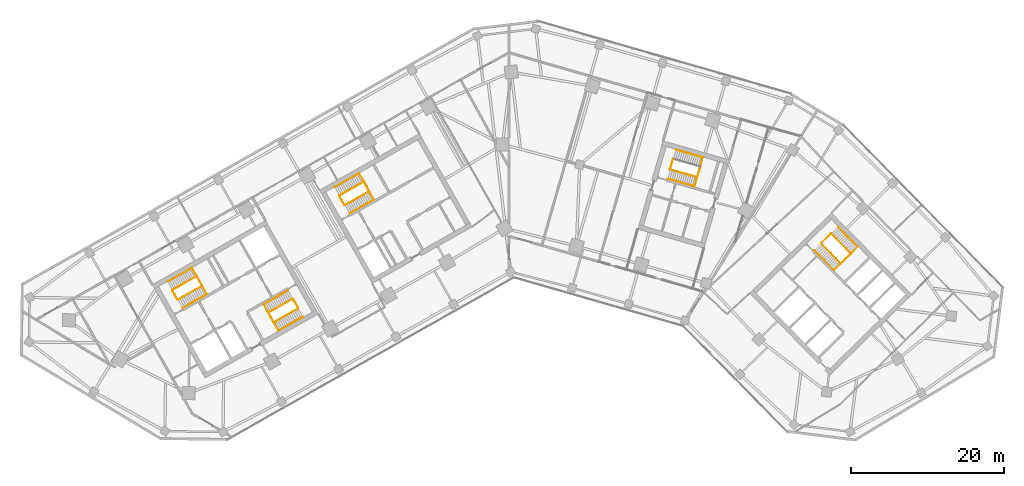
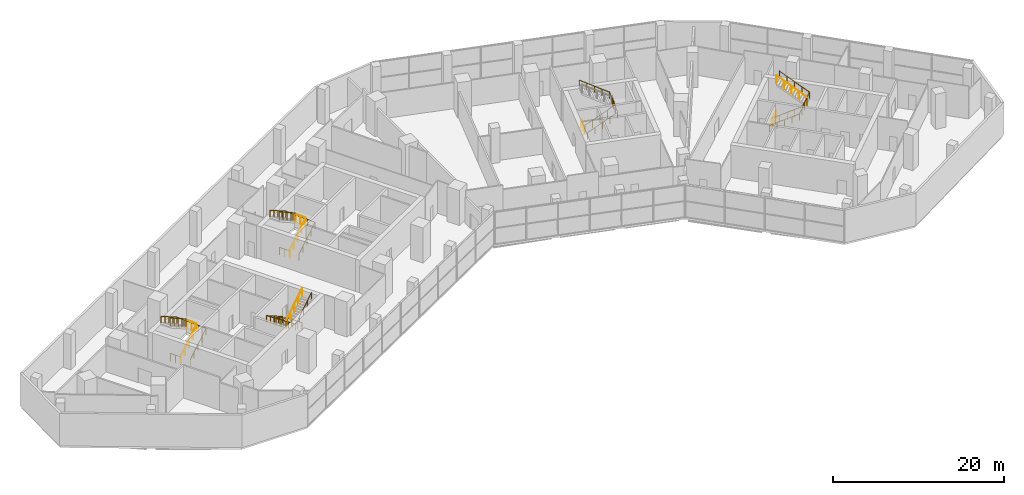
# One storey, part 17 of 18: 19 railings.
"""IFC4 building model written with IfcOpenShell, lengths in metres."""

from ifc_helpers import new_model, si_unit, direction, frame, origin, origin_2d, place, context, subcontext, project, spatial, circle, extrude, material, type_object, element, save


model = new_model("IFC4")

# Units and contexts
model_context = context("Model", 3, precision=1e-05, world=origin(), true_north=direction((0.0, 1.0)))
body_context = subcontext(model_context, "Body", "Model", "MODEL_VIEW")
ifc_project = project(units=[si_unit("LENGTHUNIT", "METRE"), si_unit("AREAUNIT", "SQUARE_METRE"), si_unit("VOLUMEUNIT", "CUBIC_METRE"), si_unit("PLANEANGLEUNIT", "RADIAN"), si_unit("MASSUNIT", "GRAM", prefix="KILO")], contexts=[model_context])

# Site, building, storey
site_placement = place(None, origin())
site = spatial("IfcSite", under=ifc_project, at=site_placement, CompositionType="ELEMENT")
building_placement = place(site_placement, origin())
building = spatial("IfcBuilding", under=site, at=building_placement, Name="Binnacle Exchange Tower", CompositionType="ELEMENT")
storey_placement = place(building_placement, frame((0.0, 0.0, 6.5)))
storey = spatial("IfcBuildingStorey", under=building, at=storey_placement, Name="L01", CompositionType="ELEMENT", Elevation=6.5)

# Railings
ifc_material_1 = material(Name="Steel guard rail", Category="steel")
railing_type_1 = type_object("IfcRailingType", Name="STAIR GUARD 1100", PredefinedType="GUARDRAIL", material=ifc_material_1)
railing_1_placement = place(storey_placement, frame((-43.26171875, 39.71728515625, 0.178466796875)))
element("IfcRailing", 1, at=railing_1_placement, inside=storey, type_object=railing_type_1, Name="L01 STA1 stair guard 1", PredefinedType="GUARDRAIL", context=body_context, shape_type="SweptSolid", body=[
    extrude(circle(Radius=0.02392578125, at=origin_2d()), frame((0.0, 0.0, 1.076171875), z_axis=(0.733795554141, 0.415191658331, 0.537735968274), x_axis=(-0.492450612189, 0.870340390052, 0.0)), (0.0, 0.0, 1.0), 4.317138671875),
    extrude(circle(Radius=0.02392578125, at=origin_2d()), frame((3.16796875, 1.79248046875, 3.3974609375), z_axis=(-0.460963092712, 0.887419307406, 0.0), x_axis=(-0.887419307406, -0.460963092712, 0.0)), (0.0, 0.0, 1.0), 1.40087890625),
    extrude(circle(Radius=0.02099609375, at=origin_2d()), origin(), (0.0, 0.0, 1.0), 1.052001953125),
    extrude(circle(Radius=0.02099609375, at=origin_2d()), frame((0.7919921875, 0.4482421875, 0.580322265625)), (0.0, 0.0, 1.0), 1.052001953125),
    extrude(circle(Radius=0.02099609375, at=origin_2d()), frame((1.583984375, 0.896240234375, 1.16064453125)), (0.0, 0.0, 1.0), 1.052001953125),
    extrude(circle(Radius=0.02099609375, at=origin_2d()), frame((2.3759765625, 1.34423828125, 1.7412109375)), (0.0, 0.0, 1.0), 1.052001953125),
    extrude(circle(Radius=0.02099609375, at=origin_2d()), frame((3.16796875, 1.79248046875, 2.321533203125)), (0.0, 0.0, 1.0), 1.052001953125),
    extrude(circle(Radius=0.02099609375, at=origin_2d()), frame((2.84521484375, 2.4140625, 2.321533203125)), (0.0, 0.0, 1.0), 1.052001953125),
    extrude(circle(Radius=0.02099609375, at=origin_2d()), frame((2.522216796875, 3.03564453125, 2.321533203125)), (0.0, 0.0, 1.0), 1.052001953125),
])
railing_2_placement = place(storey_placement, frame((-40.8076171875, 42.771728515625, 2.678466796875)))
element("IfcRailing", 2, at=railing_2_placement, inside=storey, type_object=railing_type_1, Name="L01 STA1 stair guard 2", PredefinedType="GUARDRAIL", context=body_context, shape_type="SweptSolid", body=[
    extrude(circle(Radius=0.02392578125, at=origin_2d()), frame((0.0, 0.0, 1.076171875), z_axis=(-0.733821652932, -0.415174429824, 0.537713654753), x_axis=(0.492421866095, -0.870356654361, 0.0)), (0.0, 0.0, 1.0), 4.3173828125),
    extrude(circle(Radius=0.02099609375, at=origin_2d()), origin(), (0.0, 0.0, 1.0), 1.052001953125),
    extrude(circle(Radius=0.02099609375, at=origin_2d()), frame((-0.7919921875, -0.4482421875, 0.580322265625)), (0.0, 0.0, 1.0), 1.052001953125),
    extrude(circle(Radius=0.02099609375, at=origin_2d()), frame((-1.583984375, -0.896240234375, 1.16064453125)), (0.0, 0.0, 1.0), 1.052001953125),
    extrude(circle(Radius=0.02099609375, at=origin_2d()), frame((-2.376220703125, -1.34423828125, 1.7412109375)), (0.0, 0.0, 1.0), 1.052001953125),
    extrude(circle(Radius=0.02099609375, at=origin_2d()), frame((-3.168212890625, -1.79248046875, 2.321533203125)), (0.0, 0.0, 1.0), 1.052001953125),
])
railing_3_placement = place(storey_placement, frame((-43.329833984375, 39.736328125, 0.0)))
element("IfcRailing", 3, at=railing_3_placement, inside=storey, type_object=railing_type_1, Name="L01 STA1 stair guard 3", PredefinedType="GUARDRAIL", context=body_context, shape_type="SweptSolid", body=[
    extrude(circle(Radius=0.02392578125, at=origin_2d()), frame((0.0, 0.0, 1.076171875), z_axis=(-0.4924922531, 0.870316827734, 0.0), x_axis=(-0.870316827734, -0.4924922531, 0.0)), (0.0, 0.0, 1.0), 1.349853515625),
    extrude(circle(Radius=0.02099609375, at=origin_2d()), origin(), (0.0, 0.0, 1.0), 1.052001953125),
    extrude(circle(Radius=0.02099609375, at=origin_2d()), frame((-0.33251953125, 0.58740234375, 0.0)), (0.0, 0.0, 1.0), 1.052001953125),
    extrude(circle(Radius=0.02099609375, at=origin_2d()), frame((-0.664794921875, 1.1748046875, 0.0)), (0.0, 0.0, 1.0), 1.052001953125),
])
railing_4_placement = place(storey_placement, frame((-28.265380859375, 39.814453125, 0.178466796875)))
element("IfcRailing", 4, at=railing_4_placement, inside=storey, type_object=railing_type_1, Name="L01 STA2 stair guard 1", PredefinedType="GUARDRAIL", context=body_context, shape_type="SweptSolid", body=[
    extrude(circle(Radius=0.02392578125, at=origin_2d()), frame((0.0, 0.0, 1.076171875), z_axis=(-0.733821652932, -0.415174429824, 0.537713654753), x_axis=(0.492421866095, -0.870356654361, 0.0)), (0.0, 0.0, 1.0), 4.3173828125),
    extrude(circle(Radius=0.02392578125, at=origin_2d()), frame((-3.168212890625, -1.79248046875, 3.3974609375), z_axis=(0.461100321709, -0.887348011391, 0.0), x_axis=(0.887348011391, 0.461100321709, 0.0)), (0.0, 0.0, 1.0), 1.40087890625),
    extrude(circle(Radius=0.02099609375, at=origin_2d()), origin(), (0.0, 0.0, 1.0), 1.052001953125),
    extrude(circle(Radius=0.02099609375, at=origin_2d()), frame((-0.7919921875, -0.4482421875, 0.580322265625)), (0.0, 0.0, 1.0), 1.052001953125),
    extrude(circle(Radius=0.02099609375, at=origin_2d()), frame((-1.583984375, -0.896240234375, 1.16064453125)), (0.0, 0.0, 1.0), 1.052001953125),
    extrude(circle(Radius=0.02099609375, at=origin_2d()), frame((-2.376220703125, -1.34423828125, 1.7412109375)), (0.0, 0.0, 1.0), 1.052001953125),
    extrude(circle(Radius=0.02099609375, at=origin_2d()), frame((-3.168212890625, -1.79248046875, 2.321533203125)), (0.0, 0.0, 1.0), 1.052001953125),
    extrude(circle(Radius=0.02099609375, at=origin_2d()), frame((-2.84521484375, -2.4140625, 2.321533203125)), (0.0, 0.0, 1.0), 1.052001953125),
    extrude(circle(Radius=0.02099609375, at=origin_2d()), frame((-2.522216796875, -3.03564453125, 2.321533203125)), (0.0, 0.0, 1.0), 1.052001953125),
])
railing_5_placement = place(storey_placement, frame((-30.719482421875, 36.760009765625, 2.678466796875)))
element("IfcRailing", 5, at=railing_5_placement, inside=storey, type_object=railing_type_1, Name="L01 STA2 stair guard 2", PredefinedType="GUARDRAIL", context=body_context, shape_type="SweptSolid", body=[
    extrude(circle(Radius=0.02392578125, at=origin_2d()), frame((0.0, 0.0, 1.076171875), z_axis=(0.733795554141, 0.415191658331, 0.537735968274), x_axis=(-0.492450612189, 0.870340390052, 0.0)), (0.0, 0.0, 1.0), 4.317138671875),
    extrude(circle(Radius=0.02099609375, at=origin_2d()), origin(), (0.0, 0.0, 1.0), 1.052001953125),
    extrude(circle(Radius=0.02099609375, at=origin_2d()), frame((0.7919921875, 0.4482421875, 0.580322265625)), (0.0, 0.0, 1.0), 1.052001953125),
    extrude(circle(Radius=0.02099609375, at=origin_2d()), frame((1.583984375, 0.896240234375, 1.16064453125)), (0.0, 0.0, 1.0), 1.052001953125),
    extrude(circle(Radius=0.02099609375, at=origin_2d()), frame((2.3759765625, 1.34423828125, 1.7412109375)), (0.0, 0.0, 1.0), 1.052001953125),
    extrude(circle(Radius=0.02099609375, at=origin_2d()), frame((3.16796875, 1.79248046875, 2.321533203125)), (0.0, 0.0, 1.0), 1.052001953125),
])
railing_6_placement = place(storey_placement, frame((-28.197265625, 39.795654296875, 0.0)))
element("IfcRailing", 6, at=railing_6_placement, inside=storey, type_object=railing_type_1, Name="L01 STA2 stair guard 3", PredefinedType="GUARDRAIL", context=body_context, shape_type="SweptSolid", body=[
    extrude(circle(Radius=0.02392578125, at=origin_2d()), frame((0.0, 0.0, 1.076171875), z_axis=(0.49241474071, -0.870360685654, 0.0), x_axis=(0.870360685654, 0.49241474071, 0.0)), (0.0, 0.0, 1.0), 1.35009765625),
    extrude(circle(Radius=0.02099609375, at=origin_2d()), origin(), (0.0, 0.0, 1.0), 1.052001953125),
    extrude(circle(Radius=0.02099609375, at=origin_2d()), frame((0.33251953125, -0.58740234375, 0.0)), (0.0, 0.0, 1.0), 1.052001953125),
    extrude(circle(Radius=0.02099609375, at=origin_2d()), frame((0.664794921875, -1.175048828125, 0.0)), (0.0, 0.0, 1.0), 1.052001953125),
])
railing_7_placement = place(storey_placement, frame((40.822509765625, 47.046875, 0.178466796875)))
element("IfcRailing", 7, at=railing_7_placement, inside=storey, type_object=railing_type_1, Name="L01 STB1 stair guard 1", PredefinedType="GUARDRAIL", context=body_context, shape_type="SweptSolid", body=[
    extrude(circle(Radius=0.02392578125, at=origin_2d()), frame((0.0, 0.0, 1.076171875), z_axis=(0.590946962671, -0.60135215321, 0.537733461056), x_axis=(0.713250539553, 0.700909172309, 0.0)), (0.0, 0.0, 1.0), 4.317138671875),
    extrude(circle(Radius=0.02392578125, at=origin_2d()), frame((2.55126953125, -2.59619140625, 3.3974609375), z_axis=(0.732527851538, 0.680737061369, 0.0), x_axis=(-0.680737061369, 0.732527851538, 0.0)), (0.0, 0.0, 1.0), 1.80078125),
    extrude(circle(Radius=0.02099609375, at=origin_2d()), origin(), (0.0, 0.0, 1.0), 1.052001953125),
    extrude(circle(Radius=0.02099609375, at=origin_2d()), frame((0.6376953125, -0.64892578125, 0.580322265625)), (0.0, 0.0, 1.0), 1.052001953125),
    extrude(circle(Radius=0.02099609375, at=origin_2d()), frame((1.275634765625, -1.298095703125, 1.16064453125)), (0.0, 0.0, 1.0), 1.052001953125),
    extrude(circle(Radius=0.02099609375, at=origin_2d()), frame((1.91357421875, -1.947265625, 1.7412109375)), (0.0, 0.0, 1.0), 1.052001953125),
    extrude(circle(Radius=0.02099609375, at=origin_2d()), frame((2.55126953125, -2.59619140625, 2.321533203125)), (0.0, 0.0, 1.0), 1.052001953125),
    extrude(circle(Radius=0.02099609375, at=origin_2d()), frame((3.2109375, -1.9833984375, 2.321533203125)), (0.0, 0.0, 1.0), 1.052001953125),
    extrude(circle(Radius=0.02099609375, at=origin_2d()), frame((3.870361328125, -1.370361328125, 2.321533203125)), (0.0, 0.0, 1.0), 1.052001953125),
])
railing_8_placement = place(storey_placement, frame((44.693359375, 45.747314453125, 2.678466796875)))
element("IfcRailing", 8, at=railing_8_placement, inside=storey, type_object=railing_type_1, Name="L01 STB1 stair guard 2", PredefinedType="GUARDRAIL", context=body_context, shape_type="SweptSolid", body=[
    extrude(circle(Radius=0.02392578125, at=origin_2d()), frame((0.0, 0.0, 1.076171875), z_axis=(-0.590946962671, 0.60135215321, 0.537733461056), x_axis=(-0.713250539553, -0.700909172309, 0.0)), (0.0, 0.0, 1.0), 4.317138671875),
    extrude(circle(Radius=0.02099609375, at=origin_2d()), origin(), (0.0, 0.0, 1.0), 1.052001953125),
    extrude(circle(Radius=0.02099609375, at=origin_2d()), frame((-0.6376953125, 0.64892578125, 0.580322265625)), (0.0, 0.0, 1.0), 1.052001953125),
    extrude(circle(Radius=0.02099609375, at=origin_2d()), frame((-1.275634765625, 1.298095703125, 1.16064453125)), (0.0, 0.0, 1.0), 1.052001953125),
    extrude(circle(Radius=0.02099609375, at=origin_2d()), frame((-1.91357421875, 1.947265625, 1.7412109375)), (0.0, 0.0, 1.0), 1.052001953125),
    extrude(circle(Radius=0.02099609375, at=origin_2d()), frame((-2.55126953125, 2.59619140625, 2.321533203125)), (0.0, 0.0, 1.0), 1.052001953125),
])
railing_9_placement = place(storey_placement, frame((40.8232421875, 47.117431640625, 0.0)))
element("IfcRailing", 9, at=railing_9_placement, inside=storey, type_object=railing_type_1, Name="L01 STB1 stair guard 3", PredefinedType="GUARDRAIL", context=body_context, shape_type="SweptSolid", body=[
    extrude(circle(Radius=0.02392578125, at=origin_2d()), frame((0.0, 0.0, 1.076171875), z_axis=(0.713218950569, 0.700941316052, 0.0), x_axis=(-0.700941316052, 0.713218950569, 0.0)), (0.0, 0.0, 1.0), 1.75),
    extrude(circle(Radius=0.02099609375, at=origin_2d()), origin(), (0.0, 0.0, 1.0), 1.052001953125),
    extrude(circle(Radius=0.02099609375, at=origin_2d()), frame((0.6240234375, 0.61328125, 0.0)), (0.0, 0.0, 1.0), 1.052001953125),
    extrude(circle(Radius=0.02099609375, at=origin_2d()), frame((1.248046875, 1.2265625, 0.0)), (0.0, 0.0, 1.0), 1.052001953125),
])
railing_10_placement = place(storey_placement, frame((-21.423828125, 52.07275390625, 0.178466796875)))
element("IfcRailing", 10, at=railing_10_placement, inside=storey, type_object=railing_type_1, Name="L01 STC1 stair guard 1", PredefinedType="GUARDRAIL", context=body_context, shape_type="SweptSolid", body=[
    extrude(circle(Radius=0.02392578125, at=origin_2d()), frame((0.0, 0.0, 1.076171875), z_axis=(0.733838880464, 0.415127627455, 0.537726278364), x_axis=(-0.492371057291, 0.870385398511, 0.0)), (0.0, 0.0, 1.0), 4.3173828125),
    extrude(circle(Radius=0.02392578125, at=origin_2d()), frame((3.168212890625, 1.792236328125, 3.3974609375), z_axis=(-0.461100321709, 0.887348011391, 0.0), x_axis=(-0.887348011391, -0.461100321709, 0.0)), (0.0, 0.0, 1.0), 1.40087890625),
    extrude(circle(Radius=0.02099609375, at=origin_2d()), origin(), (0.0, 0.0, 1.0), 1.052001953125),
    extrude(circle(Radius=0.02099609375, at=origin_2d()), frame((0.7919921875, 0.447998046875, 0.580322265625)), (0.0, 0.0, 1.0), 1.052001953125),
    extrude(circle(Radius=0.02099609375, at=origin_2d()), frame((1.583984375, 0.89599609375, 1.16064453125)), (0.0, 0.0, 1.0), 1.052001953125),
    extrude(circle(Radius=0.02099609375, at=origin_2d()), frame((2.376220703125, 1.34423828125, 1.7412109375)), (0.0, 0.0, 1.0), 1.052001953125),
    extrude(circle(Radius=0.02099609375, at=origin_2d()), frame((3.168212890625, 1.792236328125, 2.321533203125)), (0.0, 0.0, 1.0), 1.052001953125),
    extrude(circle(Radius=0.02099609375, at=origin_2d()), frame((2.84521484375, 2.413818359375, 2.321533203125)), (0.0, 0.0, 1.0), 1.052001953125),
    extrude(circle(Radius=0.02099609375, at=origin_2d()), frame((2.522216796875, 3.035400390625, 2.321533203125)), (0.0, 0.0, 1.0), 1.052001953125),
])
railing_11_placement = place(storey_placement, frame((-18.9697265625, 55.126953125, 2.678466796875)))
element("IfcRailing", 11, at=railing_11_placement, inside=storey, type_object=railing_type_1, Name="L01 STC1 stair guard 2", PredefinedType="GUARDRAIL", context=body_context, shape_type="SweptSolid", body=[
    extrude(circle(Radius=0.02392578125, at=origin_2d()), frame((0.0, 0.0, 1.076171875), z_axis=(-0.733812782489, -0.415144854829, 0.537748593457), x_axis=(0.492399802317, -0.870369137021, 0.0)), (0.0, 0.0, 1.0), 4.317138671875),
    extrude(circle(Radius=0.02099609375, at=origin_2d()), origin(), (0.0, 0.0, 1.0), 1.052001953125),
    extrude(circle(Radius=0.02099609375, at=origin_2d()), frame((-0.7919921875, -0.447998046875, 0.580322265625)), (0.0, 0.0, 1.0), 1.052001953125),
    extrude(circle(Radius=0.02099609375, at=origin_2d()), frame((-1.583984375, -0.89599609375, 1.16064453125)), (0.0, 0.0, 1.0), 1.052001953125),
    extrude(circle(Radius=0.02099609375, at=origin_2d()), frame((-2.3759765625, -1.34423828125, 1.7412109375)), (0.0, 0.0, 1.0), 1.052001953125),
    extrude(circle(Radius=0.02099609375, at=origin_2d()), frame((-3.16796875, -1.792236328125, 2.321533203125)), (0.0, 0.0, 1.0), 1.052001953125),
])
railing_12_placement = place(storey_placement, frame((-21.491943359375, 52.091552734375, 0.0)))
element("IfcRailing", 12, at=railing_12_placement, inside=storey, type_object=railing_type_1, Name="L01 STC1 stair guard 3", PredefinedType="GUARDRAIL", context=body_context, shape_type="SweptSolid", body=[
    extrude(circle(Radius=0.02392578125, at=origin_2d()), frame((0.0, 0.0, 1.076171875), z_axis=(-0.49241474071, 0.870360685654, 0.0), x_axis=(-0.870360685654, -0.49241474071, 0.0)), (0.0, 0.0, 1.0), 1.35009765625),
    extrude(circle(Radius=0.02099609375, at=origin_2d()), origin(), (0.0, 0.0, 1.0), 1.052001953125),
    extrude(circle(Radius=0.02099609375, at=origin_2d()), frame((-0.33251953125, 0.58740234375, 0.0)), (0.0, 0.0, 1.0), 1.052001953125),
    extrude(circle(Radius=0.02099609375, at=origin_2d()), frame((-0.664794921875, 1.175048828125, 0.0)), (0.0, 0.0, 1.0), 1.052001953125),
])
railing_13_placement = place(storey_placement, frame((21.086669921875, 56.71044921875, 0.178466796875)))
element("IfcRailing", 13, at=railing_13_placement, inside=storey, type_object=railing_type_1, Name="L01 STD1 stair guard 1", PredefinedType="GUARDRAIL", context=body_context, shape_type="SweptSolid", body=[
    extrude(circle(Radius=0.02392578125, at=origin_2d()), frame((0.0, 0.0, 1.076171875), z_axis=(0.810455892038, -0.232415135102, 0.537721537635), x_axis=(0.275659984683, 0.961255206927, 0.0)), (0.0, 0.0, 1.0), 4.3173828125),
    extrude(circle(Radius=0.02392578125, at=origin_2d()), frame((3.4990234375, -1.00341796875, 3.3974609375), z_axis=(0.309684985722, 0.950839213337, 0.0), x_axis=(-0.950839213337, 0.309684985722, 0.0)), (0.0, 0.0, 1.0), 1.40087890625),
    extrude(circle(Radius=0.02099609375, at=origin_2d()), origin(), (0.0, 0.0, 1.0), 1.052001953125),
    extrude(circle(Radius=0.02099609375, at=origin_2d()), frame((0.874755859375, -0.2509765625, 0.580322265625)), (0.0, 0.0, 1.0), 1.052001953125),
    extrude(circle(Radius=0.02099609375, at=origin_2d()), frame((1.74951171875, -0.501708984375, 1.16064453125)), (0.0, 0.0, 1.0), 1.052001953125),
    extrude(circle(Radius=0.02099609375, at=origin_2d()), frame((2.624267578125, -0.75244140625, 1.7412109375)), (0.0, 0.0, 1.0), 1.052001953125),
    extrude(circle(Radius=0.02099609375, at=origin_2d()), frame((3.4990234375, -1.00341796875, 2.321533203125)), (0.0, 0.0, 1.0), 1.052001953125),
    extrude(circle(Radius=0.02099609375, at=origin_2d()), frame((3.7158203125, -0.33740234375, 2.321533203125)), (0.0, 0.0, 1.0), 1.052001953125),
    extrude(circle(Radius=0.02099609375, at=origin_2d()), frame((3.932861328125, 0.32861328125, 2.321533203125)), (0.0, 0.0, 1.0), 1.052001953125),
])
railing_14_placement = place(storey_placement, frame((21.05224609375, 56.772216796875, 0.0)))
element("IfcRailing", 14, at=railing_14_placement, inside=storey, type_object=railing_type_1, Name="L01 STD1 stair guard 3", PredefinedType="GUARDRAIL", context=body_context, shape_type="SweptSolid", body=[
    extrude(circle(Radius=0.02392578125, at=origin_2d()), frame((0.0, 0.0, 1.076171875), z_axis=(0.275795817769, 0.961216243569, 0.0), x_axis=(-0.961216243569, 0.275795817769, 0.0)), (0.0, 0.0, 1.0), 1.349853515625),
    extrude(circle(Radius=0.02099609375, at=origin_2d()), origin(), (0.0, 0.0, 1.0), 1.052001953125),
    extrude(circle(Radius=0.02099609375, at=origin_2d()), frame((0.18603515625, 0.64892578125, 0.0)), (0.0, 0.0, 1.0), 1.052001953125),
    extrude(circle(Radius=0.02099609375, at=origin_2d()), frame((0.372314453125, 1.297607421875, 0.0)), (0.0, 0.0, 1.0), 1.052001953125),
])
ifc_material_2 = material(Name="Steel handrail", Category="steel")
railing_type_2 = type_object("IfcRailingType", Name="STAIR HANDRAIL 900", PredefinedType="HANDRAIL", material=ifc_material_2)
railing_15_placement = place(storey_placement, frame((-42.646240234375, 38.62939453125, 0.178466796875)))
element("IfcRailing", 15, at=railing_15_placement, inside=storey, type_object=railing_type_2, Name="L01 STA1 stair handrail 1", PredefinedType="HANDRAIL", context=body_context, shape_type="SweptSolid", body=[
    extrude(circle(Radius=0.02392578125, at=origin_2d()), frame((0.0, 0.0, 0.8759765625), z_axis=(0.733821652932, 0.415174429824, 0.537713654753), x_axis=(-0.492421866095, 0.870356654361, 0.0)), (0.0, 0.0, 1.0), 4.3173828125),
    extrude(circle(Radius=0.02392578125, at=origin_2d()), frame((3.168212890625, 1.79248046875, 3.197265625), z_axis=(-0.491985021148, 0.869432866815, 0.045135674003), x_axis=(-0.870319839224, -0.492486931251, 0.0)), (0.0, 0.0, 1.0), 3.9541015625),
    extrude(circle(Radius=0.02392578125, at=origin_2d()), frame((1.222900390625, 5.230224609375, 3.3759765625), z_axis=(-0.733812782489, -0.415144854829, 0.537748593457), x_axis=(0.492399802317, -0.870369137021, 0.0)), (0.0, 0.0, 1.0), 4.317138671875),
    extrude(circle(Radius=0.02099609375, at=origin_2d()), origin(), (0.0, 0.0, 1.0), 0.851806640625),
    extrude(circle(Radius=0.02099609375, at=origin_2d()), frame((0.7919921875, 0.4482421875, 0.580322265625)), (0.0, 0.0, 1.0), 0.851806640625),
    extrude(circle(Radius=0.02099609375, at=origin_2d()), frame((1.583984375, 0.896240234375, 1.16064453125)), (0.0, 0.0, 1.0), 0.851806640625),
    extrude(circle(Radius=0.02099609375, at=origin_2d()), frame((2.376220703125, 1.34423828125, 1.7412109375)), (0.0, 0.0, 1.0), 0.851806640625),
    extrude(circle(Radius=0.02099609375, at=origin_2d()), frame((3.168212890625, 1.79248046875, 2.321533203125)), (0.0, 0.0, 1.0), 0.851806640625),
    extrude(circle(Radius=0.02099609375, at=origin_2d()), frame((2.681884765625, 2.65185546875, 2.3662109375)), (0.0, 0.0, 1.0), 0.851806640625),
    extrude(circle(Radius=0.02099609375, at=origin_2d()), frame((2.195556640625, 3.51123046875, 2.41064453125)), (0.0, 0.0, 1.0), 0.851806640625),
    extrude(circle(Radius=0.02099609375, at=origin_2d()), frame((1.709228515625, 4.370849609375, 2.455322265625)), (0.0, 0.0, 1.0), 0.851806640625),
    extrude(circle(Radius=0.02099609375, at=origin_2d()), frame((1.222900390625, 5.230224609375, 2.5)), (0.0, 0.0, 1.0), 0.851806640625),
    extrude(circle(Radius=0.02099609375, at=origin_2d()), frame((0.430908203125, 4.7822265625, 3.080322265625)), (0.0, 0.0, 1.0), 0.851806640625),
    extrude(circle(Radius=0.02099609375, at=origin_2d()), frame((-0.361083984375, 4.333984375, 3.66064453125)), (0.0, 0.0, 1.0), 0.851806640625),
    extrude(circle(Radius=0.02099609375, at=origin_2d()), frame((-1.153076171875, 3.885986328125, 4.2412109375)), (0.0, 0.0, 1.0), 0.851806640625),
    extrude(circle(Radius=0.02099609375, at=origin_2d()), frame((-1.945068359375, 3.43798828125, 4.821533203125)), (0.0, 0.0, 1.0), 0.851806640625),
])
railing_16_placement = place(storey_placement, frame((-28.880859375, 40.90234375, 0.178466796875)))
element("IfcRailing", 16, at=railing_16_placement, inside=storey, type_object=railing_type_2, Name="L01 STA2 stair handrail 1", PredefinedType="HANDRAIL", context=body_context, shape_type="SweptSolid", body=[
    extrude(circle(Radius=0.02392578125, at=origin_2d()), frame((0.0, 0.0, 0.8759765625), z_axis=(-0.733838880464, -0.415127627455, 0.537726278364), x_axis=(0.492371057291, -0.870385398511, 0.0)), (0.0, 0.0, 1.0), 4.3173828125),
    extrude(circle(Radius=0.02392578125, at=origin_2d()), frame((-3.168212890625, -1.792236328125, 3.197265625), z_axis=(0.491911810019, -0.86947434526, 0.045134621956), x_axis=(0.870361318571, 0.492413622004, 0.0)), (0.0, 0.0, 1.0), 3.9541015625),
    extrude(circle(Radius=0.02392578125, at=origin_2d()), frame((-1.22314453125, -5.230224609375, 3.3759765625), z_axis=(0.733821652932, 0.415174429824, 0.537713654753), x_axis=(-0.492421866095, 0.870356654361, 0.0)), (0.0, 0.0, 1.0), 4.3173828125),
    extrude(circle(Radius=0.02099609375, at=origin_2d()), origin(), (0.0, 0.0, 1.0), 0.851806640625),
    extrude(circle(Radius=0.02099609375, at=origin_2d()), frame((-0.7919921875, -0.447998046875, 0.580322265625)), (0.0, 0.0, 1.0), 0.851806640625),
    extrude(circle(Radius=0.02099609375, at=origin_2d()), frame((-1.583984375, -0.89599609375, 1.16064453125)), (0.0, 0.0, 1.0), 0.851806640625),
    extrude(circle(Radius=0.02099609375, at=origin_2d()), frame((-2.376220703125, -1.34423828125, 1.7412109375)), (0.0, 0.0, 1.0), 0.851806640625),
    extrude(circle(Radius=0.02099609375, at=origin_2d()), frame((-3.168212890625, -1.792236328125, 2.321533203125)), (0.0, 0.0, 1.0), 0.851806640625),
    extrude(circle(Radius=0.02099609375, at=origin_2d()), frame((-2.681884765625, -2.65185546875, 2.3662109375)), (0.0, 0.0, 1.0), 0.851806640625),
    extrude(circle(Radius=0.02099609375, at=origin_2d()), frame((-2.19580078125, -3.51123046875, 2.41064453125)), (0.0, 0.0, 1.0), 0.851806640625),
    extrude(circle(Radius=0.02099609375, at=origin_2d()), frame((-1.70947265625, -4.37060546875, 2.455322265625)), (0.0, 0.0, 1.0), 0.851806640625),
    extrude(circle(Radius=0.02099609375, at=origin_2d()), frame((-1.22314453125, -5.230224609375, 2.5)), (0.0, 0.0, 1.0), 0.851806640625),
    extrude(circle(Radius=0.02099609375, at=origin_2d()), frame((-0.43115234375, -4.7822265625, 3.080322265625)), (0.0, 0.0, 1.0), 0.851806640625),
    extrude(circle(Radius=0.02099609375, at=origin_2d()), frame((0.36083984375, -4.333984375, 3.66064453125)), (0.0, 0.0, 1.0), 0.851806640625),
    extrude(circle(Radius=0.02099609375, at=origin_2d()), frame((1.153076171875, -3.8857421875, 4.2412109375)), (0.0, 0.0, 1.0), 0.851806640625),
    extrude(circle(Radius=0.02099609375, at=origin_2d()), frame((1.945068359375, -3.437744140625, 4.821533203125)), (0.0, 0.0, 1.0), 0.851806640625),
])
railing_17_placement = place(storey_placement, frame((39.930908203125, 46.170654296875, 0.178466796875)))
element("IfcRailing", 17, at=railing_17_placement, inside=storey, type_object=railing_type_2, Name="L01 STB1 stair handrail 1", PredefinedType="HANDRAIL", context=body_context, shape_type="SweptSolid", body=[
    extrude(circle(Radius=0.02392578125, at=origin_2d()), frame((0.0, 0.0, 0.8759765625), z_axis=(0.590983762497, -0.601332057257, 0.53771549111), x_axis=(0.713217009097, 0.700943291525, 0.0)), (0.0, 0.0, 1.0), 4.3173828125),
    extrude(circle(Radius=0.02392578125, at=origin_2d()), frame((2.551513671875, -2.59619140625, 3.197265625), z_axis=(0.712654164256, 0.700316745611, 0.040993877406), x_axis=(-0.700905928746, 0.713253726978, 0.0)), (0.0, 0.0, 1.0), 4.353515625),
    extrude(circle(Radius=0.02392578125, at=origin_2d()), frame((5.654052734375, 0.45263671875, 3.3759765625), z_axis=(-0.590926866753, 0.601388251475, 0.537715174732), x_axis=(-0.713283488215, -0.700875641922, 0.0)), (0.0, 0.0, 1.0), 4.3173828125),
    extrude(circle(Radius=0.02099609375, at=origin_2d()), origin(), (0.0, 0.0, 1.0), 0.851806640625),
    extrude(circle(Radius=0.02099609375, at=origin_2d()), frame((0.637939453125, -0.64892578125, 0.580322265625)), (0.0, 0.0, 1.0), 0.851806640625),
    extrude(circle(Radius=0.02099609375, at=origin_2d()), frame((1.27587890625, -1.298095703125, 1.16064453125)), (0.0, 0.0, 1.0), 0.851806640625),
    extrude(circle(Radius=0.02099609375, at=origin_2d()), frame((1.91357421875, -1.947265625, 1.7412109375)), (0.0, 0.0, 1.0), 0.851806640625),
    extrude(circle(Radius=0.02099609375, at=origin_2d()), frame((2.551513671875, -2.59619140625, 2.321533203125)), (0.0, 0.0, 1.0), 0.851806640625),
    extrude(circle(Radius=0.02099609375, at=origin_2d()), frame((3.3271484375, -1.833984375, 2.3662109375)), (0.0, 0.0, 1.0), 0.851806640625),
    extrude(circle(Radius=0.02099609375, at=origin_2d()), frame((4.102783203125, -1.07177734375, 2.41064453125)), (0.0, 0.0, 1.0), 0.851806640625),
    extrude(circle(Radius=0.02099609375, at=origin_2d()), frame((4.87841796875, -0.3095703125, 2.455322265625)), (0.0, 0.0, 1.0), 0.851806640625),
    extrude(circle(Radius=0.02099609375, at=origin_2d()), frame((5.654052734375, 0.45263671875, 2.5)), (0.0, 0.0, 1.0), 0.851806640625),
    extrude(circle(Radius=0.02099609375, at=origin_2d()), frame((5.01611328125, 1.101806640625, 3.080322265625)), (0.0, 0.0, 1.0), 0.851806640625),
    extrude(circle(Radius=0.02099609375, at=origin_2d()), frame((4.37841796875, 1.7509765625, 3.66064453125)), (0.0, 0.0, 1.0), 0.851806640625),
    extrude(circle(Radius=0.02099609375, at=origin_2d()), frame((3.74072265625, 2.39990234375, 4.2412109375)), (0.0, 0.0, 1.0), 0.851806640625),
    extrude(circle(Radius=0.02099609375, at=origin_2d()), frame((3.102783203125, 3.049072265625, 4.821533203125)), (0.0, 0.0, 1.0), 0.851806640625),
])
railing_18_placement = place(storey_placement, frame((-20.808349609375, 50.984619140625, 0.178466796875)))
element("IfcRailing", 18, at=railing_18_placement, inside=storey, type_object=railing_type_2, Name="L01 STC1 stair handrail 1", PredefinedType="HANDRAIL", context=body_context, shape_type="SweptSolid", body=[
    extrude(circle(Radius=0.02392578125, at=origin_2d()), frame((0.0, 0.0, 0.8759765625), z_axis=(0.733821652932, 0.415174429824, 0.537713654753), x_axis=(-0.492421866095, 0.870356654361, 0.0)), (0.0, 0.0, 1.0), 4.3173828125),
    extrude(circle(Radius=0.02392578125, at=origin_2d()), frame((3.168212890625, 1.79248046875, 3.197265625), z_axis=(-0.491911810019, 0.86947434526, 0.045134621956), x_axis=(-0.870361318571, -0.492413622004, 0.0)), (0.0, 0.0, 1.0), 3.9541015625),
    extrude(circle(Radius=0.02392578125, at=origin_2d()), frame((1.22314453125, 5.23046875, 3.3759765625), z_axis=(-0.733821652932, -0.415174429824, 0.537713654753), x_axis=(0.492421866095, -0.870356654361, 0.0)), (0.0, 0.0, 1.0), 4.3173828125),
    extrude(circle(Radius=0.02099609375, at=origin_2d()), origin(), (0.0, 0.0, 1.0), 0.851806640625),
    extrude(circle(Radius=0.02099609375, at=origin_2d()), frame((0.7919921875, 0.4482421875, 0.580322265625)), (0.0, 0.0, 1.0), 0.851806640625),
    extrude(circle(Radius=0.02099609375, at=origin_2d()), frame((1.583984375, 0.896240234375, 1.16064453125)), (0.0, 0.0, 1.0), 0.851806640625),
    extrude(circle(Radius=0.02099609375, at=origin_2d()), frame((2.376220703125, 1.34423828125, 1.7412109375)), (0.0, 0.0, 1.0), 0.851806640625),
    extrude(circle(Radius=0.02099609375, at=origin_2d()), frame((3.168212890625, 1.79248046875, 2.321533203125)), (0.0, 0.0, 1.0), 0.851806640625),
    extrude(circle(Radius=0.02099609375, at=origin_2d()), frame((2.681884765625, 2.65185546875, 2.3662109375)), (0.0, 0.0, 1.0), 0.851806640625),
    extrude(circle(Radius=0.02099609375, at=origin_2d()), frame((2.19580078125, 3.511474609375, 2.41064453125)), (0.0, 0.0, 1.0), 0.851806640625),
    extrude(circle(Radius=0.02099609375, at=origin_2d()), frame((1.70947265625, 4.37109375, 2.455322265625)), (0.0, 0.0, 1.0), 0.851806640625),
    extrude(circle(Radius=0.02099609375, at=origin_2d()), frame((1.22314453125, 5.23046875, 2.5)), (0.0, 0.0, 1.0), 0.851806640625),
    extrude(circle(Radius=0.02099609375, at=origin_2d()), frame((0.43115234375, 4.7822265625, 3.080322265625)), (0.0, 0.0, 1.0), 0.851806640625),
    extrude(circle(Radius=0.02099609375, at=origin_2d()), frame((-0.36083984375, 4.334228515625, 3.66064453125)), (0.0, 0.0, 1.0), 0.851806640625),
    extrude(circle(Radius=0.02099609375, at=origin_2d()), frame((-1.153076171875, 3.88623046875, 4.2412109375)), (0.0, 0.0, 1.0), 0.851806640625),
    extrude(circle(Radius=0.02099609375, at=origin_2d()), frame((-1.945068359375, 3.43798828125, 4.821533203125)), (0.0, 0.0, 1.0), 0.851806640625),
])
railing_19_placement = place(storey_placement, frame((20.7421875, 55.5087890625, 0.178466796875)))
element("IfcRailing", 19, at=railing_19_placement, inside=storey, type_object=railing_type_2, Name="L01 STD1 stair handrail 1", PredefinedType="HANDRAIL", context=body_context, shape_type="SweptSolid", body=[
    extrude(circle(Radius=0.02392578125, at=origin_2d()), frame((0.0, 0.0, 0.8759765625), z_axis=(0.810436485383, -0.2324257871, 0.537746182368), x_axis=(0.27567775811, 0.961250109848, 0.0)), (0.0, 0.0, 1.0), 4.317138671875),
    extrude(circle(Radius=0.02392578125, at=origin_2d()), frame((3.498779296875, -1.00341796875, 3.197265625), z_axis=(0.275370676617, 0.960278056821, 0.045133624351), x_axis=(-0.961257617982, 0.275651576943, 0.0)), (0.0, 0.0, 1.0), 3.9541015625),
    extrude(circle(Radius=0.02392578125, at=origin_2d()), frame((4.587646484375, 2.793701171875, 3.3759765625), z_axis=(-0.810466542589, 0.232361639932, 0.537728604067), x_axis=(-0.275598008994, -0.961272977587, 0.0)), (0.0, 0.0, 1.0), 4.3173828125),
    extrude(circle(Radius=0.02099609375, at=origin_2d()), origin(), (0.0, 0.0, 1.0), 0.851806640625),
    extrude(circle(Radius=0.02099609375, at=origin_2d()), frame((0.874755859375, -0.2509765625, 0.580322265625)), (0.0, 0.0, 1.0), 0.851806640625),
    extrude(circle(Radius=0.02099609375, at=origin_2d()), frame((1.74951171875, -0.501708984375, 1.16064453125)), (0.0, 0.0, 1.0), 0.851806640625),
    extrude(circle(Radius=0.02099609375, at=origin_2d()), frame((2.6240234375, -0.75244140625, 1.7412109375)), (0.0, 0.0, 1.0), 0.851806640625),
    extrude(circle(Radius=0.02099609375, at=origin_2d()), frame((3.498779296875, -1.00341796875, 2.321533203125)), (0.0, 0.0, 1.0), 0.851806640625),
    extrude(circle(Radius=0.02099609375, at=origin_2d()), frame((3.77099609375, -0.05419921875, 2.3662109375)), (0.0, 0.0, 1.0), 0.851806640625),
    extrude(circle(Radius=0.02099609375, at=origin_2d()), frame((4.043212890625, 0.89501953125, 2.41064453125)), (0.0, 0.0, 1.0), 0.851806640625),
    extrude(circle(Radius=0.02099609375, at=origin_2d()), frame((4.3154296875, 1.844482421875, 2.455322265625)), (0.0, 0.0, 1.0), 0.851806640625),
    extrude(circle(Radius=0.02099609375, at=origin_2d()), frame((4.587646484375, 2.793701171875, 2.5)), (0.0, 0.0, 1.0), 0.851806640625),
    extrude(circle(Radius=0.02099609375, at=origin_2d()), frame((3.712890625, 3.04443359375, 3.080322265625)), (0.0, 0.0, 1.0), 0.851806640625),
    extrude(circle(Radius=0.02099609375, at=origin_2d()), frame((2.838134765625, 3.29541015625, 3.66064453125)), (0.0, 0.0, 1.0), 0.851806640625),
    extrude(circle(Radius=0.02099609375, at=origin_2d()), frame((1.96337890625, 3.546142578125, 4.2412109375)), (0.0, 0.0, 1.0), 0.851806640625),
    extrude(circle(Radius=0.02099609375, at=origin_2d()), frame((1.088623046875, 3.796875, 4.821533203125)), (0.0, 0.0, 1.0), 0.851806640625),
])

save(model, "model.ifc")
